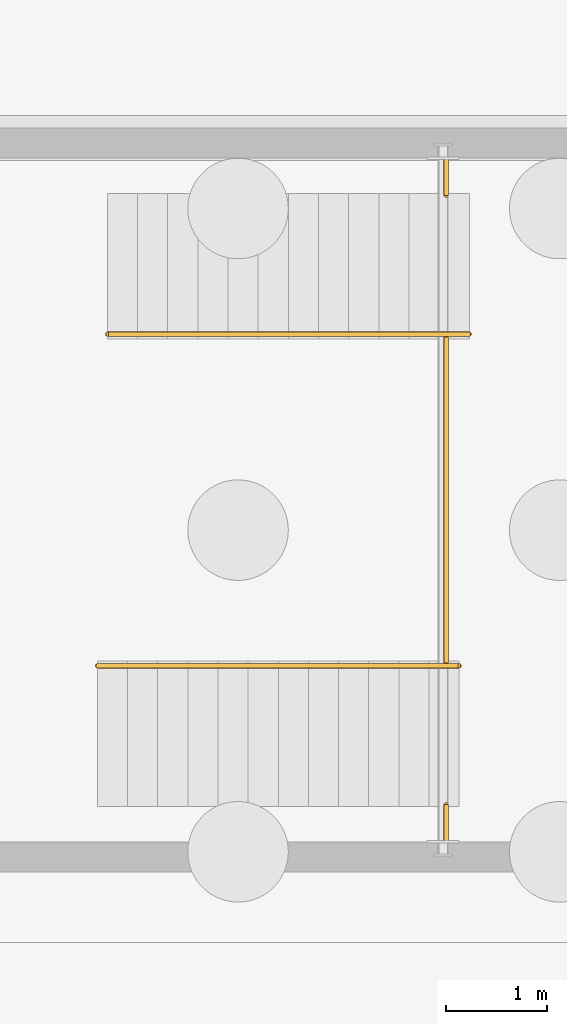
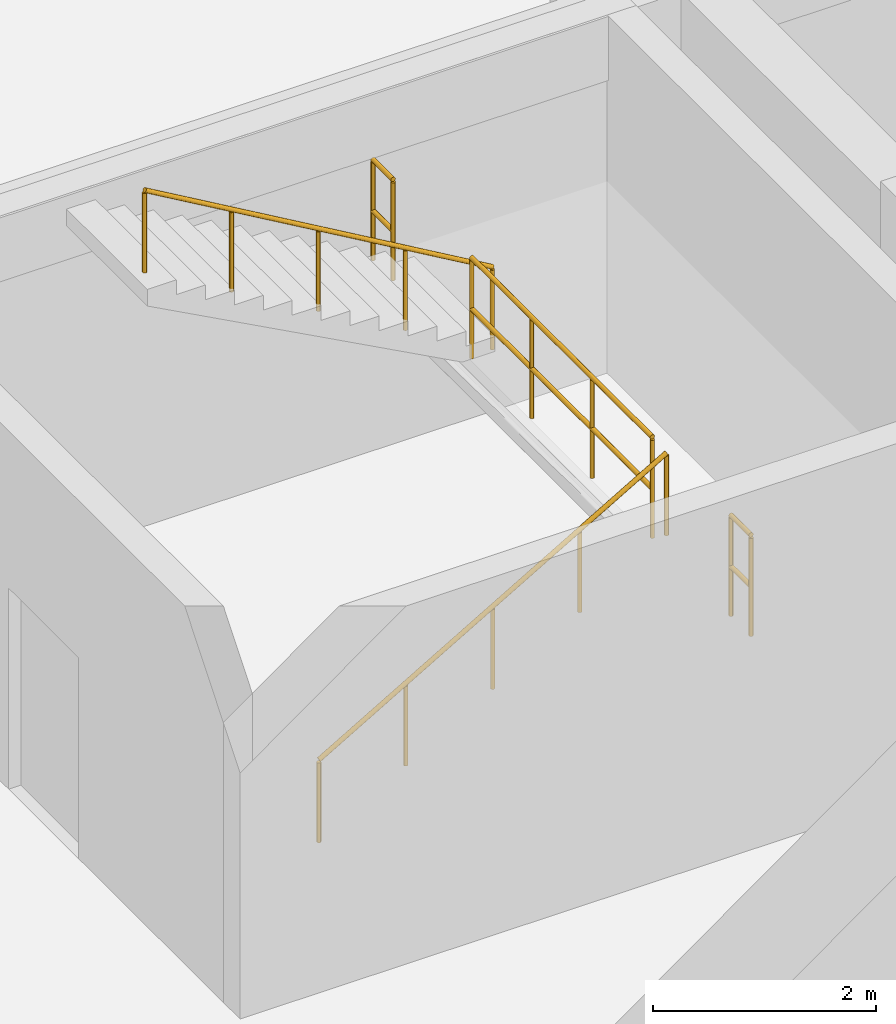
# One storey, part 32 of 36: 5 railings.
"""IFC4 building model written with IfcOpenShell, lengths in metres."""

from ifc_helpers import new_model, si_unit, direction, frame, origin, origin_2d, place, context, subcontext, project, spatial, circle, extrude, material, type_object, element, save


model = new_model("IFC4")

# Units and contexts
model_context = context("Model", 3, precision=1e-05, world=origin(), true_north=direction((0.0, 1.0)))
body_context = subcontext(model_context, "Body", "Model", "MODEL_VIEW")
ifc_project = project(units=[si_unit("LENGTHUNIT", "METRE"), si_unit("AREAUNIT", "SQUARE_METRE"), si_unit("VOLUMEUNIT", "CUBIC_METRE"), si_unit("PLANEANGLEUNIT", "RADIAN"), si_unit("MASSUNIT", "GRAM", prefix="KILO"), si_unit("THERMODYNAMICTEMPERATUREUNIT", "KELVIN"), si_unit("POWERUNIT", "WATT")], contexts=[model_context])

# Site, building, storey
site_placement = place(None, origin())
site = spatial("IfcSite", under=ifc_project, at=site_placement, CompositionType="ELEMENT")
building_placement = place(site_placement, origin())
building = spatial("IfcBuilding", under=site, at=building_placement, Name="Solvatero Civic Police Headquarters", CompositionType="ELEMENT")
storey_placement = place(building_placement, frame((0.0, 0.0, -8.39990234375)))
storey = spatial("IfcBuildingStorey", under=building, at=storey_placement, Name="B02", CompositionType="ELEMENT", Elevation=-8.39990234375)

# Railings
ifc_material_1 = material(Name="Painted Galvanized Steel", Category="steel")
railing_type_1 = type_object("IfcRailingType", Name="RL-GRD-110", PredefinedType="GUARDRAIL", material=ifc_material_1)
railing_1_placement = place(storey_placement, frame((118.77001953125, 9.97998046875, 2.099853515625)))
element("IfcRailing", 1, at=railing_1_placement, inside=storey, type_object=railing_type_1, Name="ST-C5 B02 Half-Landing Well Guardrail", PredefinedType="GUARDRAIL", context=body_context, shape_type="SweptSolid", body=[
    extrude(circle(Radius=0.02392578125, at=origin_2d()), frame((0.0, 0.0, 1.09619140625), z_axis=(0.0, 1.0, 0.0), x_axis=(-1.0, 0.0, 0.0)), (0.0, 0.0, 1.0), 3.239990234375),
    extrude(circle(Radius=0.02392578125, at=origin_2d()), frame((0.0, 0.0, 0.5361328125), z_axis=(0.0, 1.0, 0.0), x_axis=(-1.0, 0.0, 0.0)), (0.0, 0.0, 1.0), 3.239990234375),
    extrude(circle(Radius=0.02099609375, at=origin_2d()), origin(), (0.0, 0.0, 1.0), 1.072021484375),
    extrude(circle(Radius=0.02099609375, at=origin_2d()), frame((0.0, 1.080078125, 0.0)), (0.0, 0.0, 1.0), 1.072021484375),
    extrude(circle(Radius=0.02099609375, at=origin_2d()), frame((0.0, 2.159912109375, 0.0)), (0.0, 0.0, 1.0), 1.072021484375),
    extrude(circle(Radius=0.02099609375, at=origin_2d()), frame((0.0, 3.239990234375, 0.0)), (0.0, 0.0, 1.0), 1.072021484375),
])
for number, where, name in (
    (2, (118.77001953125, 8.2099609375, 2.099853515625), "ST-C5 B02 Half-Landing South Slot Guardrail"),
    (3, (118.77001953125, 14.6298828125, 2.099853515625), "ST-C5 B02 Half-Landing North Slot Guardrail"),
):
    element("IfcRailing", number, at=place(storey_placement, frame(where)), inside=storey, type_object=railing_type_1, Name=name, PredefinedType="GUARDRAIL", context=body_context, shape_type="SweptSolid", body=[
        extrude(circle(Radius=0.02392578125, at=origin_2d()), frame((0.0, 0.0, 1.09619140625), z_axis=(0.0, 1.0, 0.0), x_axis=(-1.0, 0.0, 0.0)), (0.0, 0.0, 1.0), 0.360107421875),
        extrude(circle(Radius=0.02392578125, at=origin_2d()), frame((0.0, 0.0, 0.5361328125), z_axis=(0.0, 1.0, 0.0), x_axis=(-1.0, 0.0, 0.0)), (0.0, 0.0, 1.0), 0.360107421875),
        extrude(circle(Radius=0.02099609375, at=origin_2d()), origin(), (0.0, 0.0, 1.0), 1.072021484375),
        extrude(circle(Radius=0.02099609375, at=origin_2d()), frame((0.0, 0.360107421875, 0.0)), (0.0, 0.0, 1.0), 1.072021484375),
    ])
ifc_material_2 = material(Name="Brushed Stainless Steel", Category="steel")
railing_type_2 = type_object("IfcRailingType", Name="RL-HND-092", PredefinedType="HANDRAIL", material=ifc_material_2)
railing_2_placement = place(storey_placement, frame((115.300048828125, 9.949951171875, 0.0)))
element("IfcRailing", 4, at=railing_2_placement, inside=storey, type_object=railing_type_2, Name="ST-C5 B02 Flight 1 Handrail", PredefinedType="HANDRAIL", context=body_context, shape_type="SweptSolid", body=[
    extrude(circle(Radius=0.02392578125, at=origin_2d()), frame((0.0, 0.0, 0.89599609375), z_axis=(0.86378527499, 0.0, 0.503860098351), x_axis=(0.0, 1.0, 0.0)), (0.0, 0.0, 1.0), 4.16748046875),
    extrude(circle(Radius=0.02099609375, at=origin_2d()), origin(), (0.0, 0.0, 1.0), 0.871826171875),
    extrude(circle(Radius=0.02099609375, at=origin_2d()), frame((0.89990234375, 0.0, 0.52490234375)), (0.0, 0.0, 1.0), 0.871826171875),
    extrude(circle(Radius=0.02099609375, at=origin_2d()), frame((1.7998046875, 0.0, 1.0498046875)), (0.0, 0.0, 1.0), 0.871826171875),
    extrude(circle(Radius=0.02099609375, at=origin_2d()), frame((2.699951171875, 0.0, 1.574951171875)), (0.0, 0.0, 1.0), 0.871826171875),
    extrude(circle(Radius=0.02099609375, at=origin_2d()), frame((3.599853515625, 0.0, 2.099853515625)), (0.0, 0.0, 1.0), 0.871826171875),
])
railing_3_placement = place(storey_placement, frame((119.0, 13.25, 2.099853515625)))
element("IfcRailing", 5, at=railing_3_placement, inside=storey, type_object=railing_type_2, Name="ST-C5 B02 Flight 2 Handrail", PredefinedType="HANDRAIL", context=body_context, shape_type="SweptSolid", body=[
    extrude(circle(Radius=0.02392578125, at=origin_2d()), frame((0.0, 0.0, 0.89599609375), z_axis=(-0.863774651768, 0.0, 0.503878309678), x_axis=(0.0, -1.0, 0.0)), (0.0, 0.0, 1.0), 4.16796875),
    extrude(circle(Radius=0.02099609375, at=origin_2d()), origin(), (0.0, 0.0, 1.0), 0.871826171875),
    extrude(circle(Radius=0.02099609375, at=origin_2d()), frame((-0.89990234375, 0.0, 0.52490234375)), (0.0, 0.0, 1.0), 0.871826171875),
    extrude(circle(Radius=0.02099609375, at=origin_2d()), frame((-1.800048828125, 0.0, 1.050048828125)), (0.0, 0.0, 1.0), 0.871826171875),
    extrude(circle(Radius=0.02099609375, at=origin_2d()), frame((-2.7001953125, 0.0, 1.5751953125)), (0.0, 0.0, 1.0), 0.871826171875),
    extrude(circle(Radius=0.02099609375, at=origin_2d()), frame((-3.60009765625, 0.0, 2.10009765625)), (0.0, 0.0, 1.0), 0.871826171875),
])

save(model, "model.ifc")
